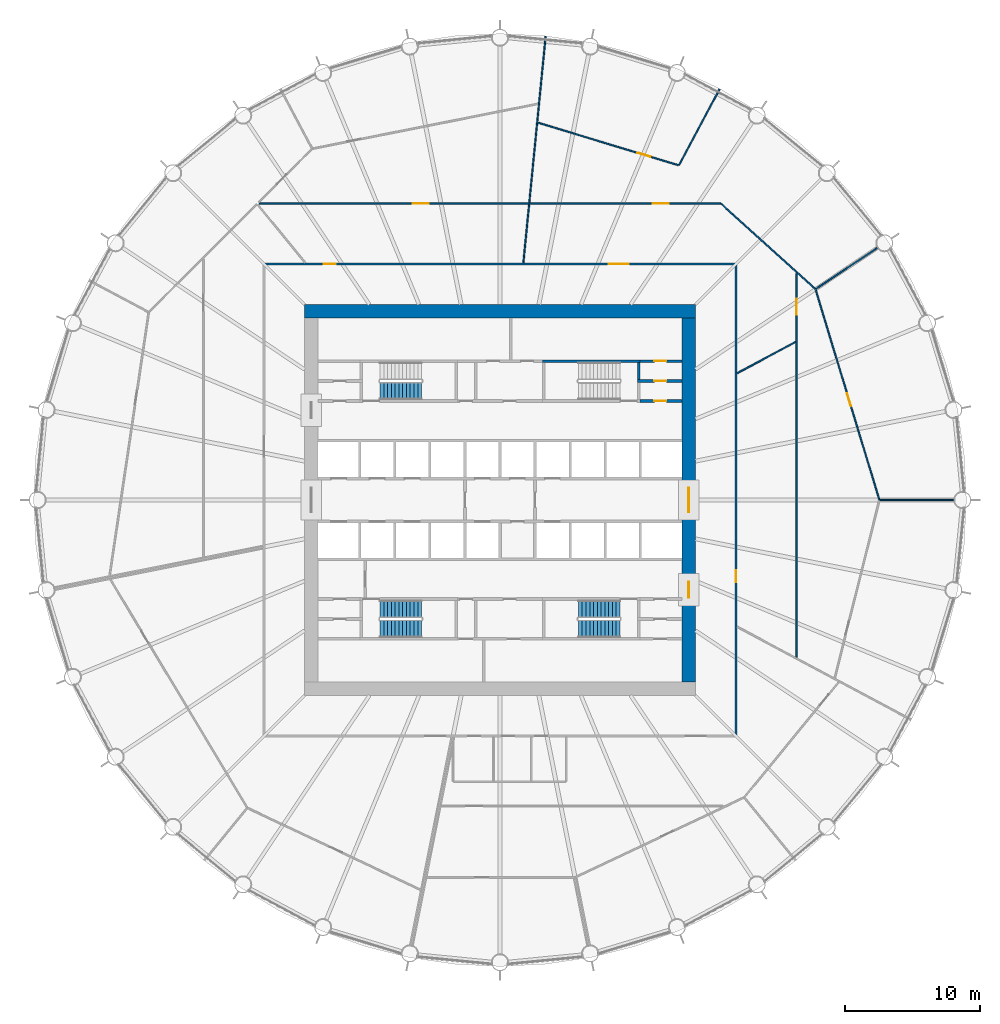
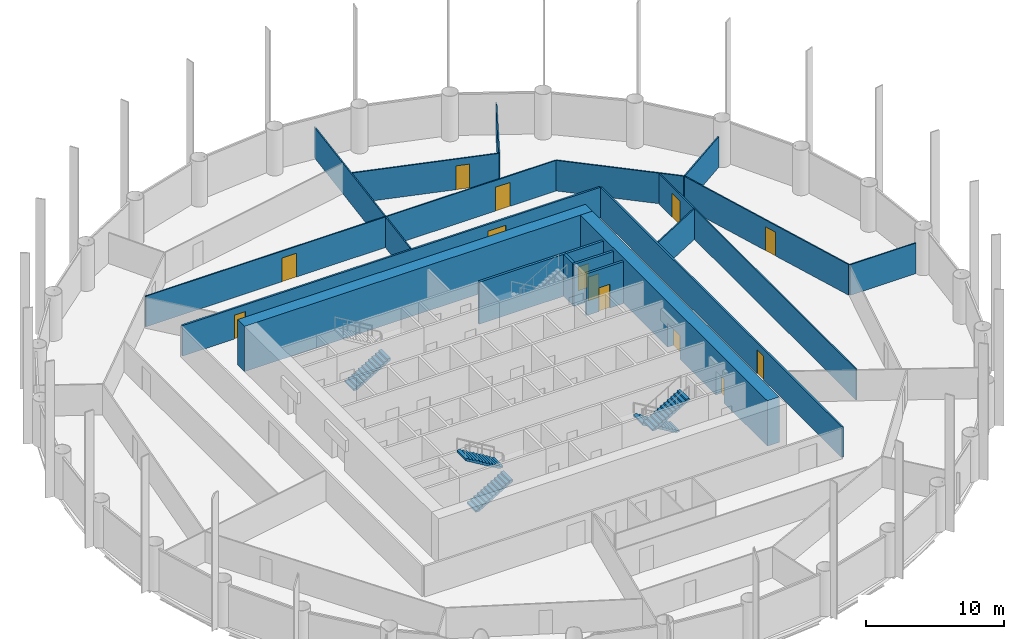
# One storey, part 7 of 10: 20 walls, 13 doors, 5 stair flights, 13 openings, 3 elements without a shape of their own.
"""IFC4 building model written with IfcOpenShell, lengths in metres."""

from ifc_helpers import new_model, si_unit, direction, frame, frame_2d, origin, place, context, subcontext, project, spatial, polyline, rectangle, outline, extrude, material, layer, layer_set, type_object, element, fill, aggregate, save


model = new_model("IFC4")

# Units and contexts
model_context = context("Model", 3, precision=1e-05, world=origin(), true_north=direction((0.0, 1.0)))
body_context = subcontext(model_context, "Body", "Model", "MODEL_VIEW")
ifc_project = project(units=[si_unit("LENGTHUNIT", "METRE"), si_unit("AREAUNIT", "SQUARE_METRE"), si_unit("VOLUMEUNIT", "CUBIC_METRE"), si_unit("PLANEANGLEUNIT", "RADIAN"), si_unit("MASSUNIT", "GRAM", prefix="KILO")], contexts=[model_context])

# Site, building, storey
site_placement = place(None, origin())
site = spatial("IfcSite", under=ifc_project, at=site_placement, CompositionType="ELEMENT")
building_placement = place(site_placement, origin())
building = spatial("IfcBuilding", under=site, at=building_placement, Name="Corvane Civic Tower", CompositionType="ELEMENT")
storey_placement = place(building_placement, frame((0.0, 0.0, 118.5)))
storey = spatial("IfcBuildingStorey", under=building, at=storey_placement, Name="L27", CompositionType="ELEMENT", Elevation=118.5)

# Wall
ifc_material_1 = material(Name="Concrete C70/85", Category="concrete")
ifc_layer_1 = layer(ifc_material_1, 1.0)
ifc_layer_set_1 = layer_set([ifc_layer_1], Name="Concrete C70/85")
wall_type_1 = type_object("IfcWallType", Name="CORE WALL 1000 C70/85", PredefinedType="SHEAR", material=ifc_layer_set_1)
wall_1_placement = place(storey_placement, frame((-14.5, 14.0, 0.0), z_axis=(0.0, 0.0, 1.0), x_axis=(1.0, 0.0, 0.0)))
element("IfcWall", 1, at=wall_1_placement, inside=storey, type_object=wall_type_1, Name="W-L27-core-N", PredefinedType="SHEAR", context=body_context, shape_type="SweptSolid", body=[
    extrude(rectangle(XDim=29.0, YDim=1.0, at=frame_2d((14.5, 0.0))), origin(), (0.0, 0.0, 1.0), 4.0),
])

# Wall, openings, doors
wall_2_placement = place(storey_placement, frame((14.0, -13.5, 0.0), z_axis=(0.0, 0.0, 1.0), x_axis=(0.0, 1.0, 0.0)))
wall_2 = element("IfcWall", 2, at=wall_2_placement, inside=storey, type_object=wall_type_1, Name="W-L27-core-E", PredefinedType="SHEAR", context=body_context, shape_type="SweptSolid", body=[
    extrude(rectangle(XDim=27.0, YDim=1.0, at=frame_2d((13.5, 0.0))), origin(), (0.0, 0.0, 1.0), 4.0),
])
opening_1_placement = place(wall_2_placement, frame((12.60009765625, 0.0, 0.0)))
opening_1 = element("IfcOpeningElement", 3, at=opening_1_placement, cuts=wall_2, Name="Opening L27.C28", PredefinedType="OPENING", context=body_context, shape_type="SweptSolid", body=[
    extrude(rectangle(XDim=1.800048828125, YDim=2.10009765625, at=frame_2d((0.89990234375, 1.050048828125))), frame((0.0, 0.510009765625, 0.0), z_axis=(0.0, -1.0, 0.0), x_axis=(1.0, 0.0, 0.0)), (0.0, 0.0, 1.0), 1.02001953125),
])
opening_2_placement = place(wall_2_placement, frame((6.25, 0.0, 0.0)))
opening_2 = element("IfcOpeningElement", 4, at=opening_2_placement, cuts=wall_2, Name="Opening L27.C30", PredefinedType="OPENING", context=body_context, shape_type="SweptSolid", body=[
    extrude(rectangle(XDim=1.199951171875, YDim=2.10009765625, at=frame_2d((0.60009765625, 1.050048828125))), frame((0.0, 0.510009765625, 0.0), z_axis=(0.0, -1.0, 0.0), x_axis=(1.0, 0.0, 0.0)), (0.0, 0.0, 1.0), 1.02001953125),
])
ifc_material_2 = material(Name="Steel fire door leaf", Category="steel")
door_type_1 = type_object("IfcDoorType", Name="CR-DOOR-CORE-1800", OperationType="DOUBLE_DOOR_SINGLE_SWING", PredefinedType="DOOR", material=ifc_material_2)
door_1_placement = place(opening_1_placement, origin())
door_1 = element("IfcDoor", 5, at=door_1_placement, inside=storey, type_object=door_type_1, Name="L27 door", OperationType="DOUBLE_DOOR_SINGLE_SWING", OverallHeight=2.10009765625, OverallWidth=1.800048828125, PredefinedType="DOOR", context=body_context, shape_type="SweptSolid", body=[
    extrude(rectangle(XDim=1.800048828125, YDim=2.10009765625, at=frame_2d((0.89990234375, 1.050048828125))), frame((0.0, 0.02490234375, 0.0), z_axis=(0.0, -1.0, 0.0), x_axis=(1.0, 0.0, 0.0)), (0.0, 0.0, 1.0), 0.050048828125),
])
fill(opening_1, door_1)
door_2_placement = place(opening_2_placement, origin())
door_2 = element("IfcDoor", 6, at=door_2_placement, inside=storey, type_object=door_type_1, Name="L27 door", OperationType="DOUBLE_DOOR_SINGLE_SWING", OverallHeight=2.10009765625, OverallWidth=1.199951171875, PredefinedType="DOOR", context=body_context, shape_type="SweptSolid", body=[
    extrude(rectangle(XDim=1.199951171875, YDim=2.10009765625, at=frame_2d((0.60009765625, 1.050048828125))), frame((0.0, 0.02490234375, 0.0), z_axis=(0.0, -1.0, 0.0), x_axis=(1.0, 0.0, 0.0)), (0.0, 0.0, 1.0), 0.050048828125),
])
fill(opening_2, door_2)

# Wall, opening, door
ifc_material_3 = material(Name="Concrete C30/37", Category="concrete")
ifc_layer_2 = layer(ifc_material_3, 0.199951171875)
ifc_layer_set_2 = layer_set([ifc_layer_2], Name="Concrete C30/37")
wall_type_2 = type_object("IfcWallType", Name="CR-WALL-200", PredefinedType="PARTITIONING", material=ifc_layer_set_2)
wall_3_placement = place(storey_placement, frame((10.39990234375, 7.35009765625, 0.0), z_axis=(0.0, 0.0, 1.0), x_axis=(1.0, 0.0, 0.0)))
wall_3 = element("IfcWall", 7, at=wall_3_placement, inside=storey, type_object=wall_type_2, Name="L27 core partition wall", PredefinedType="PARTITIONING", context=body_context, shape_type="SweptSolid", body=[
    extrude(rectangle(XDim=3.10009765625, YDim=0.199951171875, at=frame_2d((1.550048828125, 0.0))), origin(), (0.0, 0.0, 1.0), 3.699951171875),
])
opening_3_placement = place(wall_3_placement, frame((1.050048828125, 0.0, 0.0)))
opening_3 = element("IfcOpeningElement", 8, at=opening_3_placement, cuts=wall_3, Name="Opening L27.C14", PredefinedType="OPENING", context=body_context, shape_type="SweptSolid", body=[
    extrude(rectangle(XDim=0.89990234375, YDim=2.10009765625, at=frame_2d((0.449951171875, 1.050048828125))), frame((0.0, 0.10986328125, 0.0), z_axis=(0.0, -1.0, 0.0), x_axis=(1.0, 0.0, 0.0)), (0.0, 0.0, 1.0), 0.219970703125),
])
ifc_material_4 = material(Name="Steel fire door leaf", Category="steel")
door_type_2 = type_object("IfcDoorType", Name="CR-DOOR-900", OperationType="SINGLE_SWING_LEFT", PredefinedType="DOOR", material=ifc_material_4)
door_3_placement = place(opening_3_placement, origin())
door_3 = element("IfcDoor", 9, at=door_3_placement, inside=storey, type_object=door_type_2, Name="L27 door", OperationType="SINGLE_SWING_LEFT", OverallHeight=2.10009765625, OverallWidth=0.89990234375, PredefinedType="DOOR", context=body_context, shape_type="SweptSolid", body=[
    extrude(rectangle(XDim=0.89990234375, YDim=2.10009765625, at=frame_2d((0.449951171875, 1.050048828125))), frame((0.0, 0.02490234375, 0.0), z_axis=(0.0, -1.0, 0.0), x_axis=(1.0, 0.0, 0.0)), (0.0, 0.0, 1.0), 0.050048828125),
])
fill(opening_3, door_3)

wall_4_placement = place(storey_placement, frame((10.199951171875, 8.824951171875, 0.0), z_axis=(0.0, 0.0, 1.0), x_axis=(1.0, 0.0, 0.0)))
wall_4 = element("IfcWall", 10, at=wall_4_placement, inside=storey, type_object=wall_type_2, Name="L27 partition wall", PredefinedType="PARTITIONING", context=body_context, shape_type="SweptSolid", body=[
    extrude(rectangle(XDim=3.300048828125, YDim=0.199951171875, at=frame_2d((1.64990234375, 0.0))), origin(), (0.0, 0.0, 1.0), 3.699951171875),
])
opening_4_placement = place(wall_4_placement, frame((1.25, 0.0, 0.0)))
opening_4 = element("IfcOpeningElement", 11, at=opening_4_placement, cuts=wall_4, Name="Opening L27.C15", PredefinedType="OPENING", context=body_context, shape_type="SweptSolid", body=[
    extrude(rectangle(XDim=0.89990234375, YDim=2.10009765625, at=frame_2d((0.449951171875, 1.050048828125))), frame((0.0, 0.10986328125, 0.0), z_axis=(0.0, -1.0, 0.0), x_axis=(1.0, 0.0, 0.0)), (0.0, 0.0, 1.0), 0.219970703125),
])
door_4_placement = place(opening_4_placement, origin())
door_4 = element("IfcDoor", 12, at=door_4_placement, inside=storey, type_object=door_type_2, Name="L27 door", OperationType="SINGLE_SWING_LEFT", OverallHeight=2.10009765625, OverallWidth=0.89990234375, PredefinedType="DOOR", context=body_context, shape_type="SweptSolid", body=[
    extrude(rectangle(XDim=0.89990234375, YDim=2.10009765625, at=frame_2d((0.449951171875, 1.050048828125))), frame((0.0, 0.02490234375, 0.0), z_axis=(0.0, -1.0, 0.0), x_axis=(1.0, 0.0, 0.0)), (0.0, 0.0, 1.0), 0.050048828125),
])
fill(opening_4, door_4)

wall_5_placement = place(storey_placement, frame((10.39990234375, 10.300048828125, 0.0), z_axis=(0.0, 0.0, 1.0), x_axis=(1.0, 0.0, 0.0)))
wall_5 = element("IfcWall", 13, at=wall_5_placement, inside=storey, type_object=wall_type_2, Name="L27 partition wall", PredefinedType="PARTITIONING", context=body_context, shape_type="SweptSolid", body=[
    extrude(rectangle(XDim=3.10009765625, YDim=0.199951171875, at=frame_2d((1.550048828125, 0.0))), origin(), (0.0, 0.0, 1.0), 3.699951171875),
])
opening_5_placement = place(wall_5_placement, frame((1.050048828125, 0.0, 0.0)))
opening_5 = element("IfcOpeningElement", 14, at=opening_5_placement, cuts=wall_5, Name="Opening L27.C16", PredefinedType="OPENING", context=body_context, shape_type="SweptSolid", body=[
    extrude(rectangle(XDim=0.89990234375, YDim=2.10009765625, at=frame_2d((0.449951171875, 1.050048828125))), frame((0.0, 0.10986328125, 0.0), z_axis=(0.0, -1.0, 0.0), x_axis=(1.0, 0.0, 0.0)), (0.0, 0.0, 1.0), 0.219970703125),
])
door_5_placement = place(opening_5_placement, origin())
door_5 = element("IfcDoor", 15, at=door_5_placement, inside=storey, type_object=door_type_2, Name="L27 door", OperationType="SINGLE_SWING_LEFT", OverallHeight=2.10009765625, OverallWidth=0.89990234375, PredefinedType="DOOR", context=body_context, shape_type="SweptSolid", body=[
    extrude(rectangle(XDim=0.89990234375, YDim=2.10009765625, at=frame_2d((0.449951171875, 1.050048828125))), frame((0.0, 0.02490234375, 0.0), z_axis=(0.0, -1.0, 0.0), x_axis=(1.0, 0.0, 0.0)), (0.0, 0.0, 1.0), 0.050048828125),
])
fill(opening_5, door_5)

ifc_material_5 = material(Name="Plasterboard")
ifc_layer_3 = layer(ifc_material_5, 0.10009765625)
ifc_layer_set_3 = layer_set([ifc_layer_3], Name="Plasterboard")
wall_type_3 = type_object("IfcWallType", Name="Partition 100 plasterboard on studs", PredefinedType="PARTITIONING", material=ifc_layer_set_3)
wall_6_placement = place(storey_placement, frame((22.0, -11.67578125, 0.0), z_axis=(0.0, 0.0, 1.0), x_axis=(0.0, 1.0, 0.0)))
wall_6 = element("IfcWall", 16, at=wall_6_placement, inside=storey, type_object=wall_type_3, Name="Partition L27.021", PredefinedType="PARTITIONING", context=body_context, shape_type="SweptSolid", body=[
    extrude(rectangle(XDim=28.466796875, YDim=0.10009765625, at=frame_2d((14.2333984375, 0.0))), origin(), (0.0, 0.0, 1.0), 2.699951171875),
])
opening_6_placement = place(wall_6_placement, frame((25.4072265625, 0.0, 0.0)))
opening_6 = element("IfcOpeningElement", 17, at=opening_6_placement, cuts=wall_6, Name="Opening L27.014", PredefinedType="OPENING", context=body_context, shape_type="SweptSolid", body=[
    extrude(rectangle(XDim=1.199951171875, YDim=2.10009765625, at=frame_2d((0.60009765625, 1.050048828125))), frame((0.0, 0.06005859375, 0.0), z_axis=(0.0, -1.0, 0.0), x_axis=(1.0, 0.0, 0.0)), (0.0, 0.0, 1.0), 0.1201171875),
])
ifc_material_6 = material(Name="Timber", Category="wood")
door_type_3 = type_object("IfcDoorType", Name="Double door 1200", OperationType="NOTDEFINED", PredefinedType="DOOR", material=ifc_material_6)
door_6_placement = place(opening_6_placement, frame((1.199951171875, 0.0, 0.0), z_axis=(0.0, 0.0, 1.0), x_axis=(-1.0, 0.0, 0.0)))
door_6 = element("IfcDoor", 18, at=door_6_placement, inside=storey, type_object=door_type_3, Name="Door L27.014", OperationType="DOUBLE_DOOR_SINGLE_SWING", OverallHeight=2.10009765625, OverallWidth=1.199951171875, PredefinedType="DOOR", context=body_context, shape_type="SweptSolid", body=[
    extrude(rectangle(XDim=1.199951171875, YDim=2.10009765625, at=frame_2d((0.60009765625, 1.050048828125))), frame((0.0, 0.02490234375, 0.0), z_axis=(0.0, -1.0, 0.0), x_axis=(1.0, 0.0, 0.0)), (0.0, 0.0, 1.0), 0.050048828125),
])
fill(opening_6, door_6)

# Wall
wall_7_placement = place(storey_placement, frame((28.181640625, 0.0, 0.0), z_axis=(0.0, 0.0, 1.0), x_axis=(1.0, 0.0, 0.0)))
element("IfcWall", 19, at=wall_7_placement, inside=storey, type_object=wall_type_3, Name="Partition L27.025", PredefinedType="PARTITIONING", context=body_context, shape_type="SweptSolid", body=[
    extrude(rectangle(XDim=5.4833984375, YDim=0.10009765625, at=frame_2d((2.74169921875, 0.0))), origin(), (0.0, 0.0, 1.0), 2.699951171875),
])

# Wall, opening, door
wall_8_placement = place(storey_placement, frame((23.410400390625, 15.599609375, 0.0), z_axis=(0.0, 0.0, 1.0), x_axis=(0.290289427399, -0.956938894779, 0.0)))
wall_8 = element("IfcWall", 20, at=wall_8_placement, inside=storey, type_object=wall_type_3, Name="Partition L27.026", PredefinedType="PARTITIONING", context=body_context, shape_type="SweptSolid", body=[
    extrude(rectangle(XDim=16.2646484375, YDim=0.10009765625, at=frame_2d((8.13232421875, 0.0))), origin(), (0.0, 0.0, 1.0), 2.699951171875),
])
opening_7_placement = place(wall_8_placement, frame((8.015380859375, 0.0, 0.0)))
opening_7 = element("IfcOpeningElement", 21, at=opening_7_placement, cuts=wall_8, Name="Opening L27.012", PredefinedType="OPENING", context=body_context, shape_type="SweptSolid", body=[
    extrude(rectangle(XDim=1.0, YDim=2.10009765625, at=frame_2d((0.5, 1.050048828125))), frame((0.0, 0.06005859375, 0.0), z_axis=(0.0, -1.0, 0.0), x_axis=(1.0, 0.0, 0.0)), (0.0, 0.0, 1.0), 0.1201171875),
])
ifc_material_7 = material(Name="Timber", Category="wood")
door_type_4 = type_object("IfcDoorType", Name="Single door 1000", OperationType="NOTDEFINED", PredefinedType="DOOR", material=ifc_material_7)
door_7_placement = place(opening_7_placement, origin())
door_7 = element("IfcDoor", 22, at=door_7_placement, inside=storey, type_object=door_type_4, Name="Door L27.012", OperationType="SINGLE_SWING_RIGHT", OverallHeight=2.10009765625, OverallWidth=1.0, PredefinedType="DOOR", context=body_context, shape_type="SweptSolid", body=[
    extrude(rectangle(XDim=1.0, YDim=2.10009765625, at=frame_2d((0.5, 1.050048828125))), frame((0.0, 0.02490234375, 0.0), z_axis=(0.0, -1.0, 0.0), x_axis=(1.0, 0.0, 0.0)), (0.0, 0.0, 1.0), 0.050048828125),
])
fill(opening_7, door_7)

# Walls
wall_9_placement = place(storey_placement, frame((17.5986328125, 9.406494140625, 0.0), z_axis=(0.0, 0.0, 1.0), x_axis=(0.881906349881, 0.47142463877, 0.0)))
element("IfcWall", 23, at=wall_9_placement, inside=storey, type_object=wall_type_3, Name="Partition L27.027", PredefinedType="PARTITIONING", context=body_context, shape_type="SweptSolid", body=[
    extrude(rectangle(XDim=4.907470703125, YDim=0.10009765625, at=frame_2d((2.45361328125, 0.0))), origin(), (0.0, 0.0, 1.0), 2.699951171875),
])
wall_10_placement = place(storey_placement, frame((16.391357421875, 21.987060546875, 0.0), z_axis=(0.0, 0.0, 1.0), x_axis=(0.740947856194, -0.671562561793, 0.0)))
element("IfcWall", 24, at=wall_10_placement, inside=storey, type_object=wall_type_3, Name="Partition L27.030", PredefinedType="PARTITIONING", context=body_context, shape_type="SweptSolid", body=[
    extrude(rectangle(XDim=9.41943359375, YDim=0.10009765625, at=frame_2d((4.709716796875, 0.0))), origin(), (0.0, 0.0, 1.0), 2.699951171875),
])
wall_11_placement = place(storey_placement, frame((23.43212890625, 15.65673828125, 0.0), z_axis=(0.0, 0.0, 1.0), x_axis=(0.831453900371, 0.555593746867, 0.0)))
element("IfcWall", 25, at=wall_11_placement, inside=storey, type_object=wall_type_3, Name="Partition L27.031", PredefinedType="PARTITIONING", context=body_context, shape_type="SweptSolid", body=[
    extrude(rectangle(XDim=5.483642578125, YDim=0.10009765625, at=frame_2d((2.74169921875, 0.0))), origin(), (0.0, 0.0, 1.0), 2.699951171875),
])
wall_12_placement = place(storey_placement, frame((1.7314453125, 17.579833984375, 0.0), z_axis=(0.0, 0.0, 1.0), x_axis=(0.098017353968, 0.995184705631, 0.0)))
element("IfcWall", 26, at=wall_12_placement, inside=storey, type_object=wall_type_3, Name="Partition L27.033", PredefinedType="PARTITIONING", context=body_context, shape_type="SweptSolid", body=[
    extrude(rectangle(XDim=4.391357421875, YDim=0.10009765625, at=frame_2d((2.19580078125, 0.0))), origin(), (0.0, 0.0, 1.0), 2.699951171875),
])

# Wall, openings, doors
wall_13_placement = place(storey_placement, frame((-17.86181640625, 22.0, 0.0), z_axis=(0.0, 0.0, 1.0), x_axis=(1.0, 0.0, 0.0)))
wall_13 = element("IfcWall", 27, at=wall_13_placement, inside=storey, type_object=wall_type_3, Name="Partition L27.035", PredefinedType="PARTITIONING", context=body_context, shape_type="SweptSolid", body=[
    extrude(rectangle(XDim=34.219482421875, YDim=0.10009765625, at=frame_2d((17.10986328125, 0.0))), origin(), (0.0, 0.0, 1.0), 2.699951171875),
])
opening_8_placement = place(wall_13_placement, frame((11.372314453125, 0.0, 0.0)))
opening_8 = element("IfcOpeningElement", 28, at=opening_8_placement, cuts=wall_13, Name="Opening L27.008", PredefinedType="OPENING", context=body_context, shape_type="SweptSolid", body=[
    extrude(rectangle(XDim=1.199951171875, YDim=2.10009765625, at=frame_2d((0.60009765625, 1.050048828125))), frame((0.0, 0.06005859375, 0.0), z_axis=(0.0, -1.0, 0.0), x_axis=(1.0, 0.0, 0.0)), (0.0, 0.0, 1.0), 0.1201171875),
])
opening_9_placement = place(wall_13_placement, frame((29.17724609375, 0.0, 0.0)))
opening_9 = element("IfcOpeningElement", 29, at=opening_9_placement, cuts=wall_13, Name="Opening L27.015", PredefinedType="OPENING", context=body_context, shape_type="SweptSolid", body=[
    extrude(rectangle(XDim=1.199951171875, YDim=2.10009765625, at=frame_2d((0.60009765625, 1.050048828125))), frame((0.0, 0.06005859375, 0.0), z_axis=(0.0, -1.0, 0.0), x_axis=(1.0, 0.0, 0.0)), (0.0, 0.0, 1.0), 0.1201171875),
])
door_8_placement = place(opening_8_placement, origin())
door_8 = element("IfcDoor", 30, at=door_8_placement, inside=storey, type_object=door_type_3, Name="Door L27.008", OperationType="DOUBLE_DOOR_SINGLE_SWING", OverallHeight=2.10009765625, OverallWidth=1.199951171875, PredefinedType="DOOR", context=body_context, shape_type="SweptSolid", body=[
    extrude(rectangle(XDim=1.199951171875, YDim=2.10009765625, at=frame_2d((0.60009765625, 1.050048828125))), frame((0.0, 0.02490234375, 0.0), z_axis=(0.0, -1.0, 0.0), x_axis=(1.0, 0.0, 0.0)), (0.0, 0.0, 1.0), 0.050048828125),
])
fill(opening_8, door_8)
door_9_placement = place(opening_9_placement, origin())
door_9 = element("IfcDoor", 31, at=door_9_placement, inside=storey, type_object=door_type_3, Name="Door L27.015", OperationType="DOUBLE_DOOR_SINGLE_SWING", OverallHeight=2.10009765625, OverallWidth=1.199951171875, PredefinedType="DOOR", context=body_context, shape_type="SweptSolid", body=[
    extrude(rectangle(XDim=1.199951171875, YDim=2.10009765625, at=frame_2d((0.60009765625, 1.050048828125))), frame((0.0, 0.02490234375, 0.0), z_axis=(0.0, -1.0, 0.0), x_axis=(1.0, 0.0, 0.0)), (0.0, 0.0, 1.0), 0.050048828125),
])
fill(opening_9, door_9)

# Wall
wall_14_placement = place(storey_placement, frame((2.172119140625, 22.054931640625, 0.0), z_axis=(0.0, 0.0, 1.0), x_axis=(0.09802265645, 0.995184183366, 0.0)))
element("IfcWall", 32, at=wall_14_placement, inside=storey, type_object=wall_type_3, Name="Partition L27.036", PredefinedType="PARTITIONING", context=body_context, shape_type="SweptSolid", body=[
    extrude(rectangle(XDim=12.388427734375, YDim=0.10009765625, at=frame_2d((6.1943359375, 0.0))), origin(), (0.0, 0.0, 1.0), 2.699951171875),
])

# Wall, opening, door
wall_15_placement = place(storey_placement, frame((2.816650390625, 27.9892578125, 0.0), z_axis=(0.0, 0.0, 1.0), x_axis=(0.956940372735, -0.290284555271, 0.0)))
wall_15 = element("IfcWall", 33, at=wall_15_placement, inside=storey, type_object=wall_type_3, Name="Partition L27.038", PredefinedType="PARTITIONING", context=body_context, shape_type="SweptSolid", body=[
    extrude(rectangle(XDim=10.87890625, YDim=0.10009765625, at=frame_2d((5.439453125, 0.0))), origin(), (0.0, 0.0, 1.0), 2.699951171875),
])
opening_10_placement = place(wall_15_placement, frame((7.715576171875, 0.0, 0.0)))
opening_10 = element("IfcOpeningElement", 34, at=opening_10_placement, cuts=wall_15, Name="Opening L27.011", PredefinedType="OPENING", context=body_context, shape_type="SweptSolid", body=[
    extrude(rectangle(XDim=1.0, YDim=2.10009765625, at=frame_2d((0.5, 1.050048828125))), frame((0.0, 0.06005859375, 0.0), z_axis=(0.0, -1.0, 0.0), x_axis=(1.0, 0.0, 0.0)), (0.0, 0.0, 1.0), 0.1201171875),
])
door_10_placement = place(opening_10_placement, origin())
door_10 = element("IfcDoor", 35, at=door_10_placement, inside=storey, type_object=door_type_4, Name="Door L27.011", OperationType="SINGLE_SWING_LEFT", OverallHeight=2.10009765625, OverallWidth=1.0, PredefinedType="DOOR", context=body_context, shape_type="SweptSolid", body=[
    extrude(rectangle(XDim=1.0, YDim=2.10009765625, at=frame_2d((0.5, 1.050048828125))), frame((0.0, 0.02490234375, 0.0), z_axis=(0.0, -1.0, 0.0), x_axis=(1.0, 0.0, 0.0)), (0.0, 0.0, 1.0), 0.050048828125),
])
fill(opening_10, door_10)

# Walls
wall_16_placement = place(storey_placement, frame((13.28564453125, 24.855712890625, 0.0), z_axis=(0.0, 0.0, 1.0), x_axis=(0.471406069259, 0.881916275996, 0.0)))
element("IfcWall", 36, at=wall_16_placement, inside=storey, type_object=wall_type_3, Name="Partition L27.039", PredefinedType="PARTITIONING", context=body_context, shape_type="SweptSolid", body=[
    extrude(rectangle(XDim=6.366455078125, YDim=0.10009765625, at=frame_2d((3.18310546875, 0.0))), origin(), (0.0, 0.0, 1.0), 2.699951171875),
])
ifc_material_8 = material(Name="Concrete C50/60", Category="concrete")
ifc_layer_4 = layer(ifc_material_8, 0.199951171875)
ifc_layer_set_4 = layer_set([ifc_layer_4], Name="Concrete C50/60")
wall_type_4 = type_object("IfcWallType", Name="ST-WALL-200", PredefinedType="SHEAR", material=ifc_layer_set_4)
wall_17_placement = place(storey_placement, origin())
element("IfcWall", 37, at=wall_17_placement, inside=storey, type_object=wall_type_4, Name="L27 stair enclosure wall", PredefinedType="SHEAR", context=body_context, shape_type="SweptSolid", body=[
    extrude(outline(polyline([(10.39990234375, 10.199951171875), (3.14990234375, 10.199951171875), (3.14990234375, 10.39990234375), (10.39990234375, 10.39990234375), (10.39990234375, 10.199951171875)])), origin(), (0.0, 0.0, 1.0), 3.699951171875),
])
wall_18_placement = place(storey_placement, origin())
element("IfcWall", 38, at=wall_18_placement, inside=storey, type_object=wall_type_4, Name="L27 stair enclosure wall", PredefinedType="SHEAR", context=body_context, shape_type="SweptSolid", body=[
    extrude(outline(polyline([(10.39990234375, 8.925048828125), (10.199951171875, 8.925048828125), (10.199951171875, 10.199951171875), (10.39990234375, 10.199951171875), (10.39990234375, 8.925048828125)])), origin(), (0.0, 0.0, 1.0), 3.699951171875),
])

# Wall, opening, door
ifc_material_9 = material(Name="Plasterboard")
ifc_layer_5 = layer(ifc_material_9, 0.14990234375)
ifc_layer_set_5 = layer_set([ifc_layer_5], Name="Plasterboard")
wall_type_5 = type_object("IfcWallType", Name="Tenancy wall 150 EI 60", PredefinedType="PARTITIONING", material=ifc_layer_set_5)
wall_19_placement = place(storey_placement, frame((17.5, -17.425048828125, 0.0), z_axis=(0.0, 0.0, 1.0), x_axis=(0.0, 1.0, 0.0)))
wall_19 = element("IfcWall", 39, at=wall_19_placement, inside=storey, type_object=wall_type_5, Name="Partition L27.018", PredefinedType="PARTITIONING", context=body_context, shape_type="SweptSolid", body=[
    extrude(rectangle(XDim=34.85009765625, YDim=0.14990234375, at=frame_2d((17.425048828125, 0.0))), origin(), (0.0, 0.0, 1.0), 2.699951171875),
])
opening_11_placement = place(wall_19_placement, frame((11.30615234375, 0.0, 0.0)))
opening_11 = element("IfcOpeningElement", 40, at=opening_11_placement, cuts=wall_19, Name="Opening L27.017", PredefinedType="OPENING", context=body_context, shape_type="SweptSolid", body=[
    extrude(rectangle(XDim=0.89990234375, YDim=2.10009765625, at=frame_2d((0.449951171875, 1.050048828125))), frame((0.0, 0.0849609375, 0.0), z_axis=(0.0, -1.0, 0.0), x_axis=(1.0, 0.0, 0.0)), (0.0, 0.0, 1.0), 0.169921875),
])
ifc_material_10 = material(Name="Steel and timber", Category="steel")
door_type_5 = type_object("IfcDoorType", Name="Fire door FD30S 900", OperationType="NOTDEFINED", PredefinedType="DOOR", material=ifc_material_10)
door_11_placement = place(opening_11_placement, frame((0.89990234375, 0.0, 0.0), z_axis=(0.0, 0.0, 1.0), x_axis=(-1.0, 0.0, 0.0)))
door_11 = element("IfcDoor", 41, at=door_11_placement, inside=storey, type_object=door_type_5, Name="Door L27.017", OperationType="SINGLE_SWING_LEFT", OverallHeight=2.10009765625, OverallWidth=0.89990234375, PredefinedType="DOOR", context=body_context, shape_type="SweptSolid", body=[
    extrude(rectangle(XDim=0.89990234375, YDim=2.10009765625, at=frame_2d((0.449951171875, 1.050048828125))), frame((0.0, 0.02490234375, 0.0), z_axis=(0.0, -1.0, 0.0), x_axis=(1.0, 0.0, 0.0)), (0.0, 0.0, 1.0), 0.050048828125),
])
fill(opening_11, door_11)

# Wall, openings, doors
wall_20_placement = place(storey_placement, frame((-17.425048828125, 17.5, 0.0), z_axis=(0.0, 0.0, 1.0), x_axis=(1.0, 0.0, 0.0)))
wall_20 = element("IfcWall", 42, at=wall_20_placement, inside=storey, type_object=wall_type_5, Name="Partition L27.032", PredefinedType="PARTITIONING", context=body_context, shape_type="SweptSolid", body=[
    extrude(rectangle(XDim=34.85009765625, YDim=0.14990234375, at=frame_2d((17.425048828125, 0.0))), origin(), (0.0, 0.0, 1.0), 2.699951171875),
])
opening_12_placement = place(wall_20_placement, frame((4.343505859375, 0.0, 0.0)))
opening_12 = element("IfcOpeningElement", 43, at=opening_12_placement, cuts=wall_20, Name="Opening L27.010", PredefinedType="OPENING", context=body_context, shape_type="SweptSolid", body=[
    extrude(rectangle(XDim=0.89990234375, YDim=2.10009765625, at=frame_2d((0.449951171875, 1.050048828125))), frame((0.0, 0.0849609375, 0.0), z_axis=(0.0, -1.0, 0.0), x_axis=(1.0, 0.0, 0.0)), (0.0, 0.0, 1.0), 0.169921875),
])
opening_13_placement = place(wall_20_placement, frame((25.488037109375, 0.0, 0.0)))
opening_13 = element("IfcOpeningElement", 44, at=opening_13_placement, cuts=wall_20, Name="Opening L27.016", PredefinedType="OPENING", context=body_context, shape_type="SweptSolid", body=[
    extrude(rectangle(XDim=1.5, YDim=2.10009765625, at=frame_2d((0.75, 1.050048828125))), frame((0.0, 0.0849609375, 0.0), z_axis=(0.0, -1.0, 0.0), x_axis=(1.0, 0.0, 0.0)), (0.0, 0.0, 1.0), 0.169921875),
])
door_12_placement = place(opening_12_placement, origin())
door_12 = element("IfcDoor", 45, at=door_12_placement, inside=storey, type_object=door_type_5, Name="Door L27.010", OperationType="SINGLE_SWING_LEFT", OverallHeight=2.10009765625, OverallWidth=0.89990234375, PredefinedType="DOOR", context=body_context, shape_type="SweptSolid", body=[
    extrude(rectangle(XDim=0.89990234375, YDim=2.10009765625, at=frame_2d((0.449951171875, 1.050048828125))), frame((0.0, 0.02490234375, 0.0), z_axis=(0.0, -1.0, 0.0), x_axis=(1.0, 0.0, 0.0)), (0.0, 0.0, 1.0), 0.050048828125),
])
fill(opening_12, door_12)
ifc_material_11 = material(Name="Steel and timber", Category="steel")
door_type_6 = type_object("IfcDoorType", Name="Fire door FD60 double 1500", OperationType="NOTDEFINED", PredefinedType="DOOR", material=ifc_material_11)
door_13_placement = place(opening_13_placement, origin())
door_13 = element("IfcDoor", 46, at=door_13_placement, inside=storey, type_object=door_type_6, Name="Door L27.016", OperationType="DOUBLE_DOOR_SINGLE_SWING", OverallHeight=2.10009765625, OverallWidth=1.5, PredefinedType="DOOR", context=body_context, shape_type="SweptSolid", body=[
    extrude(rectangle(XDim=1.5, YDim=2.10009765625, at=frame_2d((0.75, 1.050048828125))), frame((0.0, 0.02490234375, 0.0), z_axis=(0.0, -1.0, 0.0), x_axis=(1.0, 0.0, 0.0)), (0.0, 0.0, 1.0), 0.050048828125),
])
fill(opening_13, door_13)

# Stair, stair flights
ifc_material_12 = material(Name="Concrete C40/50", Category="concrete")
stair_type = type_object("IfcStairType", Name="ST-STAIR-HALFTURN", PredefinedType="HALF_TURN_STAIR", material=ifc_material_12)
stair_1_placement = place(storey_placement, origin())
stair_1 = element("IfcStair", 47, at=stair_1_placement, inside=storey, type_object=stair_type, Name="L27 Exit stair ST2", PredefinedType="HALF_TURN_STAIR")
ifc_material_13 = material(Name="Concrete C40/50", Category="concrete")
stair_flight_type = type_object("IfcStairFlightType", Name="ST-FLIGHT-RC", PredefinedType="STRAIGHT", material=ifc_material_13)
stair_flight_1_placement = place(storey_placement, frame((8.89990234375, -8.10009765625, 0.0), z_axis=(0.0, 0.0, 1.0), x_axis=(-1.0, 0.0, 0.0)))
stair_flight_1 = element("IfcStairFlight", 48, at=stair_flight_1_placement, type_object=stair_flight_type, Name="ST2 flight 1", NumberOfRisers=12, NumberOfTreads=11, PredefinedType="STRAIGHT", RiserHeight=0.166666667, TreadLength=0.28, context=body_context, shape_type="SweptSolid", body=[
    extrude(outline(polyline([(0.0, 0.0), (0.0, 0.166748046875), (0.280029296875, 0.166748046875), (0.280029296875, 0.333251953125), (0.56005859375, 0.333251953125), (0.56005859375, 0.5), (0.840087890625, 0.5), (0.840087890625, 0.666748046875), (1.1201171875, 0.666748046875), (1.1201171875, 0.833251953125), (1.39990234375, 0.833251953125), (1.39990234375, 1.0), (1.679931640625, 1.0), (1.679931640625, 1.166748046875), (1.9599609375, 1.166748046875), (1.9599609375, 1.333251953125), (2.239990234375, 1.333251953125), (2.239990234375, 1.5), (2.52001953125, 1.5), (2.52001953125, 1.666748046875), (2.800048828125, 1.666748046875), (2.800048828125, 1.833251953125), (3.080078125, 1.833251953125), (3.080078125, 2.0), (3.080078125, 1.658935546875), (0.29296875, 0.0), (0.0, 0.0)])), frame((0.0, 0.64990234375, 0.0), z_axis=(0.0, -1.0, 0.0), x_axis=(1.0, 0.0, 0.0)), (0.0, 0.0, 1.0), 1.300048828125),
])
stair_flight_2_placement = place(storey_placement, frame((5.820068359375, -9.550048828125, 2.0), z_axis=(0.0, 0.0, 1.0), x_axis=(1.0, 0.0, 0.0)))
stair_flight_2 = element("IfcStairFlight", 49, at=stair_flight_2_placement, type_object=stair_flight_type, Name="ST2 flight 2", NumberOfRisers=12, NumberOfTreads=11, PredefinedType="STRAIGHT", RiserHeight=0.166666667, TreadLength=0.28, context=body_context, shape_type="SweptSolid", body=[
    extrude(outline(polyline([(0.0, 0.0), (0.0, 0.166748046875), (0.280029296875, 0.166748046875), (0.280029296875, 0.333251953125), (0.56005859375, 0.333251953125), (0.56005859375, 0.5), (0.840087890625, 0.5), (0.840087890625, 0.666748046875), (1.1201171875, 0.666748046875), (1.1201171875, 0.833251953125), (1.39990234375, 0.833251953125), (1.39990234375, 1.0), (1.679931640625, 1.0), (1.679931640625, 1.166748046875), (1.9599609375, 1.166748046875), (1.9599609375, 1.333251953125), (2.239990234375, 1.333251953125), (2.239990234375, 1.5), (2.52001953125, 1.5), (2.52001953125, 1.666748046875), (2.800048828125, 1.666748046875), (2.800048828125, 1.833251953125), (3.080078125, 1.833251953125), (3.080078125, 2.0), (3.080078125, 1.658935546875), (0.29296875, 0.0), (0.0, 0.0)])), frame((0.0, 0.64990234375, 0.0), z_axis=(0.0, -1.0, 0.0), x_axis=(1.0, 0.0, 0.0)), (0.0, 0.0, 1.0), 1.300048828125),
])
aggregate(stair_1, [stair_flight_1, stair_flight_2])

stair_2_placement = place(storey_placement, origin())
stair_2 = element("IfcStair", 50, at=stair_2_placement, inside=storey, type_object=stair_type, Name="L27 Exit stair ST3", PredefinedType="HALF_TURN_STAIR")
stair_flight_3_placement = place(storey_placement, frame((-8.89990234375, -9.550048828125, 0.0), z_axis=(0.0, 0.0, 1.0), x_axis=(1.0, 0.0, 0.0)))
stair_flight_3 = element("IfcStairFlight", 51, at=stair_flight_3_placement, type_object=stair_flight_type, Name="ST3 flight 1", NumberOfRisers=12, NumberOfTreads=11, PredefinedType="STRAIGHT", RiserHeight=0.166666667, TreadLength=0.28, context=body_context, shape_type="SweptSolid", body=[
    extrude(outline(polyline([(0.0, 0.0), (0.0, 0.166748046875), (0.280029296875, 0.166748046875), (0.280029296875, 0.333251953125), (0.56005859375, 0.333251953125), (0.56005859375, 0.5), (0.840087890625, 0.5), (0.840087890625, 0.666748046875), (1.1201171875, 0.666748046875), (1.1201171875, 0.833251953125), (1.39990234375, 0.833251953125), (1.39990234375, 1.0), (1.679931640625, 1.0), (1.679931640625, 1.166748046875), (1.9599609375, 1.166748046875), (1.9599609375, 1.333251953125), (2.239990234375, 1.333251953125), (2.239990234375, 1.5), (2.52001953125, 1.5), (2.52001953125, 1.666748046875), (2.800048828125, 1.666748046875), (2.800048828125, 1.833251953125), (3.080078125, 1.833251953125), (3.080078125, 2.0), (3.080078125, 1.658935546875), (0.29296875, 0.0), (0.0, 0.0)])), frame((0.0, 0.64990234375, 0.0), z_axis=(0.0, -1.0, 0.0), x_axis=(1.0, 0.0, 0.0)), (0.0, 0.0, 1.0), 1.300048828125),
])
stair_flight_4_placement = place(storey_placement, frame((-5.820068359375, -8.10009765625, 2.0), z_axis=(0.0, 0.0, 1.0), x_axis=(-1.0, 0.0, 0.0)))
stair_flight_4 = element("IfcStairFlight", 52, at=stair_flight_4_placement, type_object=stair_flight_type, Name="ST3 flight 2", NumberOfRisers=12, NumberOfTreads=11, PredefinedType="STRAIGHT", RiserHeight=0.166666667, TreadLength=0.28, context=body_context, shape_type="SweptSolid", body=[
    extrude(outline(polyline([(0.0, 0.0), (0.0, 0.166748046875), (0.280029296875, 0.166748046875), (0.280029296875, 0.333251953125), (0.56005859375, 0.333251953125), (0.56005859375, 0.5), (0.840087890625, 0.5), (0.840087890625, 0.666748046875), (1.1201171875, 0.666748046875), (1.1201171875, 0.833251953125), (1.39990234375, 0.833251953125), (1.39990234375, 1.0), (1.679931640625, 1.0), (1.679931640625, 1.166748046875), (1.9599609375, 1.166748046875), (1.9599609375, 1.333251953125), (2.239990234375, 1.333251953125), (2.239990234375, 1.5), (2.52001953125, 1.5), (2.52001953125, 1.666748046875), (2.800048828125, 1.666748046875), (2.800048828125, 1.833251953125), (3.080078125, 1.833251953125), (3.080078125, 2.0), (3.080078125, 1.658935546875), (0.29296875, 0.0), (0.0, 0.0)])), frame((0.0, 0.64990234375, 0.0), z_axis=(0.0, -1.0, 0.0), x_axis=(1.0, 0.0, 0.0)), (0.0, 0.0, 1.0), 1.300048828125),
])
aggregate(stair_2, [stair_flight_3, stair_flight_4])

# Stair, stair flight
stair_3_placement = place(storey_placement, origin())
stair_3 = element("IfcStair", 53, at=stair_3_placement, inside=storey, type_object=stair_type, Name="L27 Exit stair ST4", PredefinedType="HALF_TURN_STAIR")
stair_flight_5_placement = place(storey_placement, frame((-8.89990234375, 8.10009765625, 0.0), z_axis=(0.0, 0.0, 1.0), x_axis=(1.0, 0.0, 0.0)))
stair_flight_5 = element("IfcStairFlight", 54, at=stair_flight_5_placement, type_object=stair_flight_type, Name="ST4 flight 1", NumberOfRisers=12, NumberOfTreads=11, PredefinedType="STRAIGHT", RiserHeight=0.166666667, TreadLength=0.28, context=body_context, shape_type="SweptSolid", body=[
    extrude(outline(polyline([(0.0, 0.0), (0.0, 0.166748046875), (0.280029296875, 0.166748046875), (0.280029296875, 0.333251953125), (0.56005859375, 0.333251953125), (0.56005859375, 0.5), (0.840087890625, 0.5), (0.840087890625, 0.666748046875), (1.1201171875, 0.666748046875), (1.1201171875, 0.833251953125), (1.39990234375, 0.833251953125), (1.39990234375, 1.0), (1.679931640625, 1.0), (1.679931640625, 1.166748046875), (1.9599609375, 1.166748046875), (1.9599609375, 1.333251953125), (2.239990234375, 1.333251953125), (2.239990234375, 1.5), (2.52001953125, 1.5), (2.52001953125, 1.666748046875), (2.800048828125, 1.666748046875), (2.800048828125, 1.833251953125), (3.080078125, 1.833251953125), (3.080078125, 2.0), (3.080078125, 1.658935546875), (0.29296875, 0.0), (0.0, 0.0)])), frame((0.0, 0.64990234375, 0.0), z_axis=(0.0, -1.0, 0.0), x_axis=(1.0, 0.0, 0.0)), (0.0, 0.0, 1.0), 1.300048828125),
])
aggregate(stair_3, [stair_flight_5])

save(model, "model.ifc")
